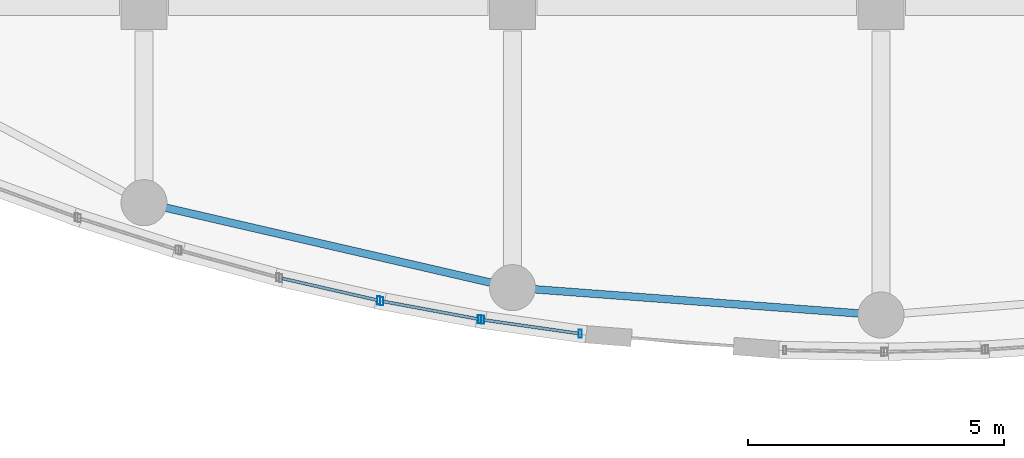
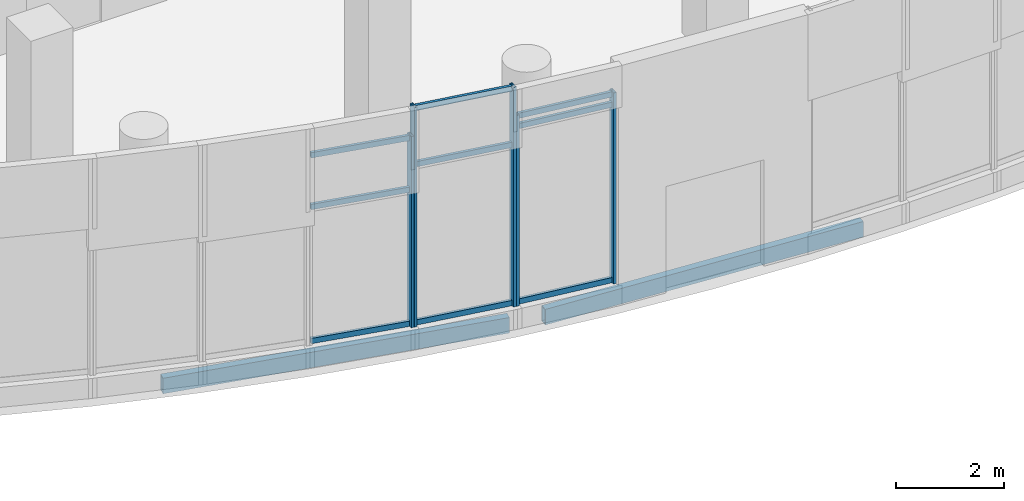
# One storey, part 72 of 192: 14 members, 2 beams, 3 elements without a shape of their own.
"""IFC4 building model written with IfcOpenShell, lengths in metres."""

from ifc_helpers import new_model, si_unit, direction, frame, origin, origin_2d, place, context, subcontext, project, spatial, hollow_rectangle, extrude, material, material_profile, profile_set, type_object, element, aggregate, save


model = new_model("IFC4")

# Units and contexts
model_context = context("Model", 3, precision=1e-05, world=origin(), true_north=direction((0.0, 1.0)))
body_context = subcontext(model_context, "Body", "Model", "MODEL_VIEW")
ifc_project = project(units=[si_unit("LENGTHUNIT", "METRE"), si_unit("AREAUNIT", "SQUARE_METRE"), si_unit("VOLUMEUNIT", "CUBIC_METRE"), si_unit("PLANEANGLEUNIT", "RADIAN"), si_unit("MASSUNIT", "GRAM", prefix="KILO")], contexts=[model_context])

# Site, building, storey
site_placement = place(None, origin())
site = spatial("IfcSite", under=ifc_project, at=site_placement, CompositionType="ELEMENT")
building_placement = place(site_placement, origin())
building = spatial("IfcBuilding", under=site, at=building_placement, Name="Cendralis Lancet Convention Centre", CompositionType="ELEMENT")
storey_placement = place(building_placement, origin())
storey = spatial("IfcBuildingStorey", under=building, at=storey_placement, Name="L00", CompositionType="ELEMENT", Elevation=0.0)

# Curtain wall, member
ifc_material_1 = material(Name="Anodised bronze architectural aluminium", Category="aluminium")
curtain_wall_type = type_object("IfcCurtainWallType", Name="ARC-CW-WF02", PredefinedType="USERDEFINED", material=ifc_material_1)
curtain_wall_1_placement = place(storey_placement, origin())
curtain_wall_1 = element("IfcCurtainWall", 1, at=curtain_wall_1_placement, inside=storey, type_object=curtain_wall_type, Name="L00 Curtain Wall CW-WF2 #061", ObjectType="CURTAIN WALL", PredefinedType="USERDEFINED")
ifc_material_profile_1 = material_profile(ifc_material_1, hollow_rectangle(XDim=0.06005859375, YDim=0.159912109375, WallThickness=0.00390625, at=origin_2d()), Name="AL-MULL 60x160x4.0")
ifc_profile_set_1 = profile_set([ifc_material_profile_1], Name="Anodised bronze architectural aluminium")
member_type_1 = type_object("IfcMemberType", Name="ARC-CW-ML01", PredefinedType="MULLION", material=ifc_profile_set_1)
member_1_placement = place(storey_placement, frame((143.785888671875, 1.45458984375, 0.449951171875), z_axis=(0.0, 0.0, 1.0), x_axis=(1.0, 0.0, 0.0)))
member_1 = element("IfcMember", 2, at=member_1_placement, type_object=member_type_1, Name="Mullion CW2-CW-WF2-L00-061-M1", PredefinedType="MULLION", context=body_context, shape_type="SweptSolid", body=[
    extrude(hollow_rectangle(XDim=0.06005859375, YDim=0.159912109375, WallThickness=0.00390625, at=origin_2d()), origin(), (0.0, 0.0, 1.0), 4.304931640625),
])

# Curtain wall, members
curtain_wall_2_placement = place(storey_placement, origin())
curtain_wall_2 = element("IfcCurtainWall", 3, at=curtain_wall_2_placement, inside=storey, type_object=curtain_wall_type, Name="L00 Curtain Wall CW-WF2 #062", ObjectType="CURTAIN WALL", PredefinedType="USERDEFINED")
member_2_placement = place(storey_placement, frame((143.844482421875, 1.4423828125, 0.449951171875), z_axis=(0.0, 0.0, 1.0), x_axis=(1.0, 0.0, 0.0)))
member_2 = element("IfcMember", 4, at=member_2_placement, type_object=member_type_1, Name="Mullion CW2-CW-WF2-L00-062-M0", PredefinedType="MULLION", context=body_context, shape_type="SweptSolid", body=[
    extrude(hollow_rectangle(XDim=0.06005859375, YDim=0.159912109375, WallThickness=0.00390625, at=origin_2d()), origin(), (0.0, 0.0, 1.0), 4.949951171875),
])
member_3_placement = place(storey_placement, frame((145.755615234375, 1.08740234375, 0.449951171875), z_axis=(0.0, 0.0, 1.0), x_axis=(1.0, 0.0, 0.0)))
member_3 = element("IfcMember", 5, at=member_3_placement, type_object=member_type_1, Name="Mullion CW2-CW-WF2-L00-062-M1", PredefinedType="MULLION", context=body_context, shape_type="SweptSolid", body=[
    extrude(hollow_rectangle(XDim=0.06005859375, YDim=0.159912109375, WallThickness=0.00390625, at=origin_2d()), origin(), (0.0, 0.0, 1.0), 4.949951171875),
])

curtain_wall_3_placement = place(storey_placement, origin())
curtain_wall_3 = element("IfcCurtainWall", 6, at=curtain_wall_3_placement, inside=storey, type_object=curtain_wall_type, Name="L00 Curtain Wall CW-WF2 #063", ObjectType="CURTAIN WALL", PredefinedType="USERDEFINED")
member_4_placement = place(storey_placement, frame((145.814697265625, 1.077880859375, 0.449951171875), z_axis=(0.0, 0.0, 1.0), x_axis=(1.0, 0.0, 0.0)))
member_4 = element("IfcMember", 7, at=member_4_placement, type_object=member_type_1, Name="Mullion CW2-CW-WF2-L00-063-M0", PredefinedType="MULLION", context=body_context, shape_type="SweptSolid", body=[
    extrude(hollow_rectangle(XDim=0.06005859375, YDim=0.159912109375, WallThickness=0.00390625, at=origin_2d()), origin(), (0.0, 0.0, 1.0), 4.304931640625),
])
member_5_placement = place(storey_placement, frame((147.724365234375, 0.80517578125, 0.449951171875), z_axis=(0.0, 0.0, 1.0), x_axis=(1.0, 0.0, 0.0)))
member_5 = element("IfcMember", 8, at=member_5_placement, type_object=member_type_1, Name="Mullion CW2-CW-WF2-L00-063-M1", PredefinedType="MULLION", context=body_context, shape_type="SweptSolid", body=[
    extrude(hollow_rectangle(XDim=0.06005859375, YDim=0.159912109375, WallThickness=0.00390625, at=origin_2d()), origin(), (0.0, 0.0, 1.0), 4.304931640625),
])

# Member
ifc_material_profile_2 = material_profile(ifc_material_1, hollow_rectangle(XDim=0.06005859375, YDim=0.1201171875, WallThickness=0.00390625, at=origin_2d()), Name="AL-TRAN 60x120x4.0")
ifc_profile_set_2 = profile_set([ifc_material_profile_2], Name="Anodised bronze architectural aluminium")
member_type_2 = type_object("IfcMemberType", Name="ARC-CW-TR01", PredefinedType="USERDEFINED", material=ifc_profile_set_2)
member_6_placement = place(storey_placement, frame((141.904541015625, 1.885498046875, 0.510009765625), z_axis=(0.974773103162, -0.223198112338, 0.0), x_axis=(0.223198112338, 0.974773103162, 0.0)))
member_6 = element("IfcMember", 9, at=member_6_placement, type_object=member_type_2, Name="Transom CW2-CW-WF2-L00-061-T0BOT", ObjectType="TRANSOM", PredefinedType="USERDEFINED", context=body_context, shape_type="SweptSolid", body=[
    extrude(hollow_rectangle(XDim=0.06005859375, YDim=0.1201171875, WallThickness=0.00390625, at=origin_2d()), origin(), (0.0, 0.0, 1.0), 1.89990234375),
])

member_7_placement = place(storey_placement, frame((141.904541015625, 1.885498046875, 3.530029296875), z_axis=(0.974773103162, -0.223198112338, 0.0), x_axis=(0.223198112338, 0.974773103162, 0.0)))
member_7 = element("IfcMember", 10, at=member_7_placement, type_object=member_type_2, Name="Transom CW2-CW-WF2-L00-061-T0MID", ObjectType="TRANSOM", PredefinedType="USERDEFINED", context=body_context, shape_type="SweptSolid", body=[
    extrude(hollow_rectangle(XDim=0.06005859375, YDim=0.1201171875, WallThickness=0.00390625, at=origin_2d()), origin(), (0.0, 0.0, 1.0), 1.89990234375),
])

member_8_placement = place(storey_placement, frame((141.904541015625, 1.885498046875, 4.695068359375), z_axis=(0.974773103162, -0.223198112338, 0.0), x_axis=(0.223198112338, 0.974773103162, 0.0)))
member_8 = element("IfcMember", 11, at=member_8_placement, type_object=member_type_2, Name="Transom CW2-CW-WF2-L00-061-T0TOP", ObjectType="TRANSOM", PredefinedType="USERDEFINED", context=body_context, shape_type="SweptSolid", body=[
    extrude(hollow_rectangle(XDim=0.06005859375, YDim=0.1201171875, WallThickness=0.00390625, at=origin_2d()), origin(), (0.0, 0.0, 1.0), 1.89990234375),
])

aggregate(curtain_wall_1, [member_1, member_6, member_7, member_8])

member_9_placement = place(storey_placement, frame((143.8740234375, 1.43701171875, 0.510009765625), z_axis=(0.983184747204, -0.18261367108, 0.0), x_axis=(0.18261367108, 0.983184747204, 0.0)))
member_9 = element("IfcMember", 12, at=member_9_placement, type_object=member_type_2, Name="Transom CW2-CW-WF2-L00-062-T0BOT", ObjectType="TRANSOM", PredefinedType="USERDEFINED", context=body_context, shape_type="SweptSolid", body=[
    extrude(hollow_rectangle(XDim=0.06005859375, YDim=0.1201171875, WallThickness=0.00390625, at=origin_2d()), origin(), (0.0, 0.0, 1.0), 1.8837890625),
])

member_10_placement = place(storey_placement, frame((143.8740234375, 1.43701171875, 4.073974609375), z_axis=(0.983184747204, -0.18261367108, 0.0), x_axis=(0.18261367108, 0.983184747204, 0.0)))
member_10 = element("IfcMember", 13, at=member_10_placement, type_object=member_type_2, Name="Transom CW2-CW-WF2-L00-062-T0MID", ObjectType="TRANSOM", PredefinedType="USERDEFINED", context=body_context, shape_type="SweptSolid", body=[
    extrude(hollow_rectangle(XDim=0.06005859375, YDim=0.1201171875, WallThickness=0.00390625, at=origin_2d()), origin(), (0.0, 0.0, 1.0), 1.8837890625),
])

member_11_placement = place(storey_placement, frame((143.8740234375, 1.43701171875, 5.340087890625), z_axis=(0.983184747204, -0.18261367108, 0.0), x_axis=(0.18261367108, 0.983184747204, 0.0)))
member_11 = element("IfcMember", 14, at=member_11_placement, type_object=member_type_2, Name="Transom CW2-CW-WF2-L00-062-T0TOP", ObjectType="TRANSOM", PredefinedType="USERDEFINED", context=body_context, shape_type="SweptSolid", body=[
    extrude(hollow_rectangle(XDim=0.06005859375, YDim=0.1201171875, WallThickness=0.00390625, at=origin_2d()), origin(), (0.0, 0.0, 1.0), 1.8837890625),
])

aggregate(curtain_wall_2, [member_2, member_3, member_9, member_10, member_11])

member_12_placement = place(storey_placement, frame((145.844482421875, 1.073486328125, 0.510009765625), z_axis=(0.989978213679, -0.141220170096, 0.0), x_axis=(0.141220170096, 0.989978213679, 0.0)))
member_12 = element("IfcMember", 15, at=member_12_placement, type_object=member_type_2, Name="Transom CW2-CW-WF2-L00-063-T0BOT", ObjectType="TRANSOM", PredefinedType="USERDEFINED", context=body_context, shape_type="SweptSolid", body=[
    extrude(hollow_rectangle(XDim=0.06005859375, YDim=0.1201171875, WallThickness=0.00390625, at=origin_2d()), origin(), (0.0, 0.0, 1.0), 1.868896484375),
])

member_13_placement = place(storey_placement, frame((145.844482421875, 1.073486328125, 4.4619140625), z_axis=(0.989978213679, -0.141220170096, 0.0), x_axis=(0.141220170096, 0.989978213679, 0.0)))
member_13 = element("IfcMember", 16, at=member_13_placement, type_object=member_type_2, Name="Transom CW2-CW-WF2-L00-063-T0MID", ObjectType="TRANSOM", PredefinedType="USERDEFINED", context=body_context, shape_type="SweptSolid", body=[
    extrude(hollow_rectangle(XDim=0.06005859375, YDim=0.1201171875, WallThickness=0.00390625, at=origin_2d()), origin(), (0.0, 0.0, 1.0), 1.868896484375),
])

member_14_placement = place(storey_placement, frame((145.844482421875, 1.073486328125, 4.695068359375), z_axis=(0.989978213679, -0.141220170096, 0.0), x_axis=(0.141220170096, 0.989978213679, 0.0)))
member_14 = element("IfcMember", 17, at=member_14_placement, type_object=member_type_2, Name="Transom CW2-CW-WF2-L00-063-T0TOP", ObjectType="TRANSOM", PredefinedType="USERDEFINED", context=body_context, shape_type="SweptSolid", body=[
    extrude(hollow_rectangle(XDim=0.06005859375, YDim=0.1201171875, WallThickness=0.00390625, at=origin_2d()), origin(), (0.0, 0.0, 1.0), 1.868896484375),
])

aggregate(curtain_wall_3, [member_4, member_5, member_12, member_13, member_14])

# Beams
ifc_material_2 = material(Name="Steel S355", Category="steel")
ifc_material_profile_3 = material_profile(ifc_material_2, hollow_rectangle(XDim=0.14990234375, YDim=0.35009765625, WallThickness=0.012451171875, at=origin_2d()), Name="RHS 350x150x12.5")
ifc_profile_set_3 = profile_set([ifc_material_profile_3], Name="Steel S355")
beam_type = type_object("IfcBeamType", Name="STR-SP-SP04", PredefinedType="SPANDREL", material=ifc_profile_set_3)
beam_1_placement = place(storey_placement, frame((139.541015625, 3.287109375, -0.4951171875), z_axis=(0.97442993642, -0.224691564168, 0.0), x_axis=(0.224691564168, 0.97442993642, 0.0)))
element("IfcBeam", 18, at=beam_1_placement, inside=storey, type_object=beam_type, Name="L00 Beam SP04 #1041", PredefinedType="SPANDREL", context=body_context, shape_type="SweptSolid", body=[
    extrude(hollow_rectangle(XDim=0.14990234375, YDim=0.35009765625, WallThickness=0.012451171875, at=origin_2d()), origin(), (0.0, 0.0, 1.0), 6.68896484375),
])
beam_2_placement = place(storey_placement, frame((146.7490234375, 1.6796875, -0.4951171875), z_axis=(0.997244923078, -0.074179265268, 0.0), x_axis=(0.074179265268, 0.997244923078, 0.0)))
element("IfcBeam", 19, at=beam_2_placement, inside=storey, type_object=beam_type, Name="L00 Beam SP04 #1042", PredefinedType="SPANDREL", context=body_context, shape_type="SweptSolid", body=[
    extrude(hollow_rectangle(XDim=0.14990234375, YDim=0.35009765625, WallThickness=0.012451171875, at=origin_2d()), origin(), (0.0, 0.0, 1.0), 6.52001953125),
])

save(model, "model.ifc")
